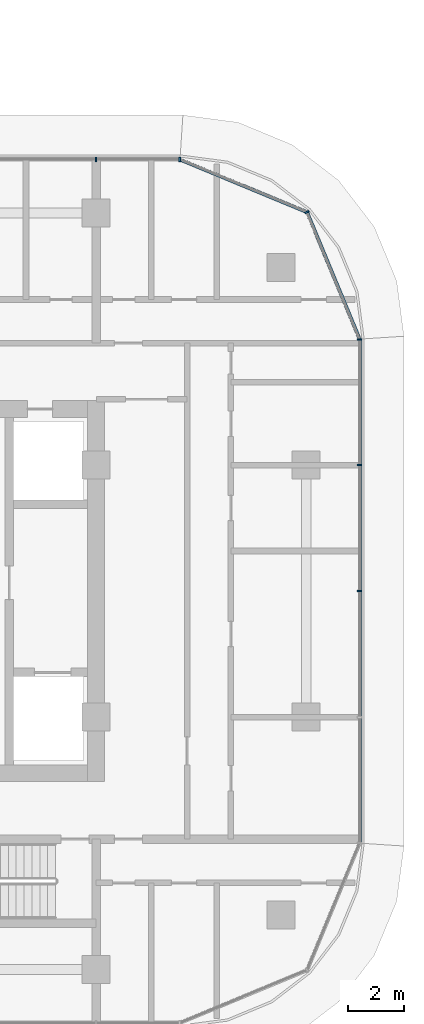
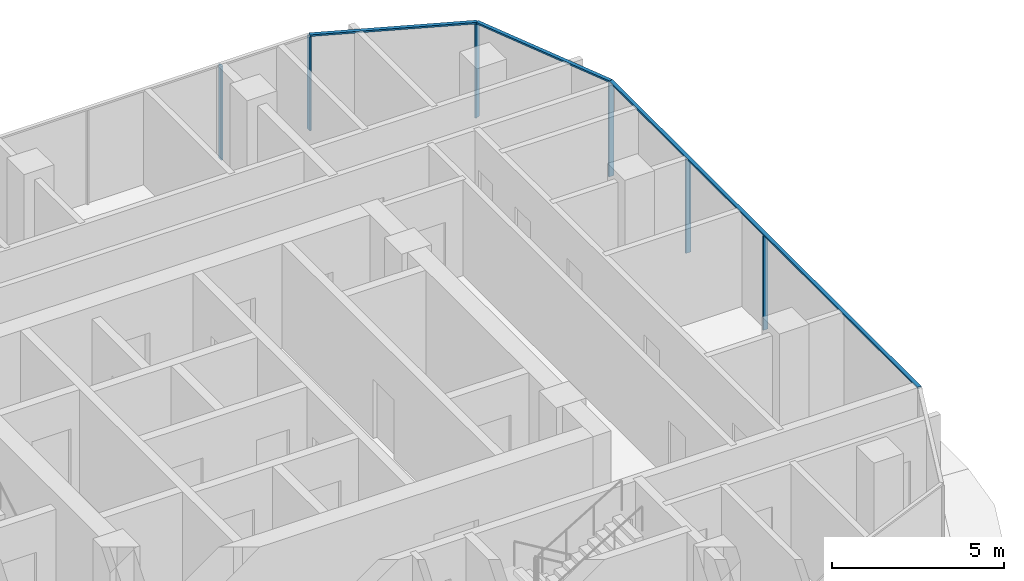
# One storey, part 14 of 36: 9 members, 3 elements without a shape of their own.
"""IFC4 building model written with IfcOpenShell, lengths in metres."""

from ifc_helpers import new_model, si_unit, direction, frame, origin, origin_2d, place, context, subcontext, project, spatial, rectangle, extrude, material, material_profile, profile_set, type_object, element, aggregate, save


model = new_model("IFC4")

# Units and contexts
model_context = context("Model", 3, precision=1e-05, world=origin(), true_north=direction((0.0, 1.0)))
body_context = subcontext(model_context, "Body", "Model", "MODEL_VIEW")
ifc_project = project(units=[si_unit("LENGTHUNIT", "METRE"), si_unit("AREAUNIT", "SQUARE_METRE"), si_unit("VOLUMEUNIT", "CUBIC_METRE"), si_unit("PLANEANGLEUNIT", "RADIAN"), si_unit("MASSUNIT", "GRAM", prefix="KILO")], contexts=[model_context])

# Site, building, storey
site_placement = place(None, origin())
site = spatial("IfcSite", under=ifc_project, at=site_placement, CompositionType="ELEMENT")
building_placement = place(site_placement, origin())
building = spatial("IfcBuilding", under=site, at=building_placement, Name="Ogive Portal Towers", CompositionType="ELEMENT")
storey_placement = place(building_placement, frame((0.0, 0.0, 52.0)))
storey = spatial("IfcBuildingStorey", under=building, at=storey_placement, Name="L11", CompositionType="ELEMENT", Elevation=52.0)

# Curtain wall, members
ifc_material_1 = material(Name="Glass, clear low-iron insulated glazing", Category="glass")
curtain_wall_type = type_object("IfcCurtainWallType", Name="CW RESIDENCES RIBBON", PredefinedType="NOTDEFINED", material=ifc_material_1)
curtain_wall_1_placement = place(storey_placement, origin())
curtain_wall_1 = element("IfcCurtainWall", 1, at=curtain_wall_1_placement, inside=storey, type_object=curtain_wall_type, Name="B:L11:f05:cw0", PredefinedType="NOTDEFINED")
ifc_material_2 = material(Name="Aluminium 6063 anodised", Category="aluminium")
ifc_material_profile_1 = material_profile(ifc_material_2, rectangle(XDim=0.159912109375, YDim=0.06005859375, at=origin_2d()), Name="AL 60x160")
ifc_profile_set_1 = profile_set([ifc_material_profile_1], Name="Aluminium 6063 anodised")
member_type_1 = type_object("IfcMemberType", Name="CW MULLION 60x160", PredefinedType="MULLION", material=ifc_profile_set_1)
member_1_placement = place(storey_placement, frame((153.409912109375, 31.0, 0.0), z_axis=(0.0, 0.0, 1.0), x_axis=(-1.0, 0.0, 0.0)))
member_1 = element("IfcMember", 2, at=member_1_placement, type_object=member_type_1, Name="mullion", PredefinedType="MULLION", context=body_context, shape_type="SweptSolid", body=[
    extrude(rectangle(XDim=0.159912109375, YDim=0.06005859375, at=origin_2d()), origin(), (0.0, 0.0, 1.0), 3.340087890625),
])
member_2_placement = place(storey_placement, frame((153.409912109375, 35.5, 0.0), z_axis=(0.0, 0.0, 1.0), x_axis=(-1.0, 0.0, 0.0)))
member_2 = element("IfcMember", 3, at=member_2_placement, type_object=member_type_1, Name="mullion", PredefinedType="MULLION", context=body_context, shape_type="SweptSolid", body=[
    extrude(rectangle(XDim=0.159912109375, YDim=0.06005859375, at=origin_2d()), origin(), (0.0, 0.0, 1.0), 3.340087890625),
])
member_3_placement = place(storey_placement, frame((153.409912109375, 39.984130859375, 0.0), z_axis=(0.0, 0.0, 1.0), x_axis=(-1.0, 0.0, 0.0)))
member_3 = element("IfcMember", 4, at=member_3_placement, type_object=member_type_1, Name="mullion", PredefinedType="MULLION", context=body_context, shape_type="SweptSolid", body=[
    extrude(rectangle(XDim=0.159912109375, YDim=0.06005859375, at=origin_2d()), origin(), (0.0, 0.0, 1.0), 3.340087890625),
])

curtain_wall_2_placement = place(storey_placement, origin())
curtain_wall_2 = element("IfcCurtainWall", 5, at=curtain_wall_2_placement, inside=storey, type_object=curtain_wall_type, Name="B:L11:f08:cw0", PredefinedType="NOTDEFINED")
member_4_placement = place(storey_placement, frame((146.984130859375, 46.409912109375, 0.0), z_axis=(0.0, 0.0, 1.0), x_axis=(0.0, -1.0, 0.0)))
member_4 = element("IfcMember", 6, at=member_4_placement, type_object=member_type_1, Name="mullion", PredefinedType="MULLION", context=body_context, shape_type="SweptSolid", body=[
    extrude(rectangle(XDim=0.159912109375, YDim=0.06005859375, at=origin_2d()), origin(), (0.0, 0.0, 1.0), 3.340087890625),
])
member_5_placement = place(storey_placement, frame((144.0, 46.409912109375, 0.0), z_axis=(0.0, 0.0, 1.0), x_axis=(0.0, -1.0, 0.0)))
member_5 = element("IfcMember", 7, at=member_5_placement, type_object=member_type_1, Name="mullion", PredefinedType="MULLION", context=body_context, shape_type="SweptSolid", body=[
    extrude(rectangle(XDim=0.159912109375, YDim=0.06005859375, at=origin_2d()), origin(), (0.0, 0.0, 1.0), 3.340087890625),
])
aggregate(curtain_wall_2, [member_4, member_5])

# Curtain wall, member
curtain_wall_3_placement = place(storey_placement, origin())
curtain_wall_3 = element("IfcCurtainWall", 8, at=curtain_wall_3_placement, inside=storey, type_object=curtain_wall_type, Name="B:L11:f06:cwa", PredefinedType="NOTDEFINED")
member_6_placement = place(storey_placement, frame((151.52783203125, 44.52783203125, 0.0), z_axis=(0.0, 0.0, 1.0), x_axis=(-0.923879532511, -0.382683432365, 0.0)))
member_6 = element("IfcMember", 9, at=member_6_placement, type_object=member_type_1, Name="mullion", PredefinedType="MULLION", context=body_context, shape_type="SweptSolid", body=[
    extrude(rectangle(XDim=0.159912109375, YDim=0.06005859375, at=origin_2d()), origin(), (0.0, 0.0, 1.0), 3.340087890625),
])

# Member
ifc_material_profile_2 = material_profile(ifc_material_2, rectangle(XDim=0.1201171875, YDim=0.06005859375, at=origin_2d()), Name="AL 120x60")
ifc_profile_set_2 = profile_set([ifc_material_profile_2], Name="Aluminium 6063 anodised")
member_type_2 = type_object("IfcMemberType", Name="CW TRANSOM 60x120", PredefinedType="USERDEFINED", material=ifc_profile_set_2)
member_7_placement = place(storey_placement, frame((153.409912109375, 22.015869140625, 3.3701171875), z_axis=(0.0, 1.0, 0.0), x_axis=(-1.0, 0.0, 0.0)))
member_7 = element("IfcMember", 10, at=member_7_placement, type_object=member_type_2, Name="transom", ObjectType="TRANSOM", PredefinedType="USERDEFINED", context=body_context, shape_type="SweptSolid", body=[
    extrude(rectangle(XDim=0.1201171875, YDim=0.06005859375, at=origin_2d()), origin(), (0.0, 0.0, 1.0), 17.96826171875),
])

aggregate(curtain_wall_1, [member_7, member_1, member_2, member_3])

member_8_placement = place(storey_placement, frame((153.409912109375, 39.984130859375, 3.3701171875), z_axis=(-0.382686457306, 0.923878279534, 0.0), x_axis=(-0.923878279534, -0.382686457306, 0.0)))
member_8 = element("IfcMember", 11, at=member_8_placement, type_object=member_type_2, Name="transom", ObjectType="TRANSOM", PredefinedType="USERDEFINED", context=body_context, shape_type="SweptSolid", body=[
    extrude(rectangle(XDim=0.1201171875, YDim=0.06005859375, at=origin_2d()), origin(), (0.0, 0.0, 1.0), 4.91796875),
])

member_9_placement = place(storey_placement, frame((151.52783203125, 44.52783203125, 3.3701171875), z_axis=(-0.923878279534, 0.382686457306, 0.0), x_axis=(-0.382686457306, -0.923878279534, 0.0)))
member_9 = element("IfcMember", 12, at=member_9_placement, type_object=member_type_2, Name="transom", ObjectType="TRANSOM", PredefinedType="USERDEFINED", context=body_context, shape_type="SweptSolid", body=[
    extrude(rectangle(XDim=0.1201171875, YDim=0.06005859375, at=origin_2d()), origin(), (0.0, 0.0, 1.0), 4.91796875),
])

aggregate(curtain_wall_3, [member_8, member_9, member_6])

save(model, "model.ifc")
